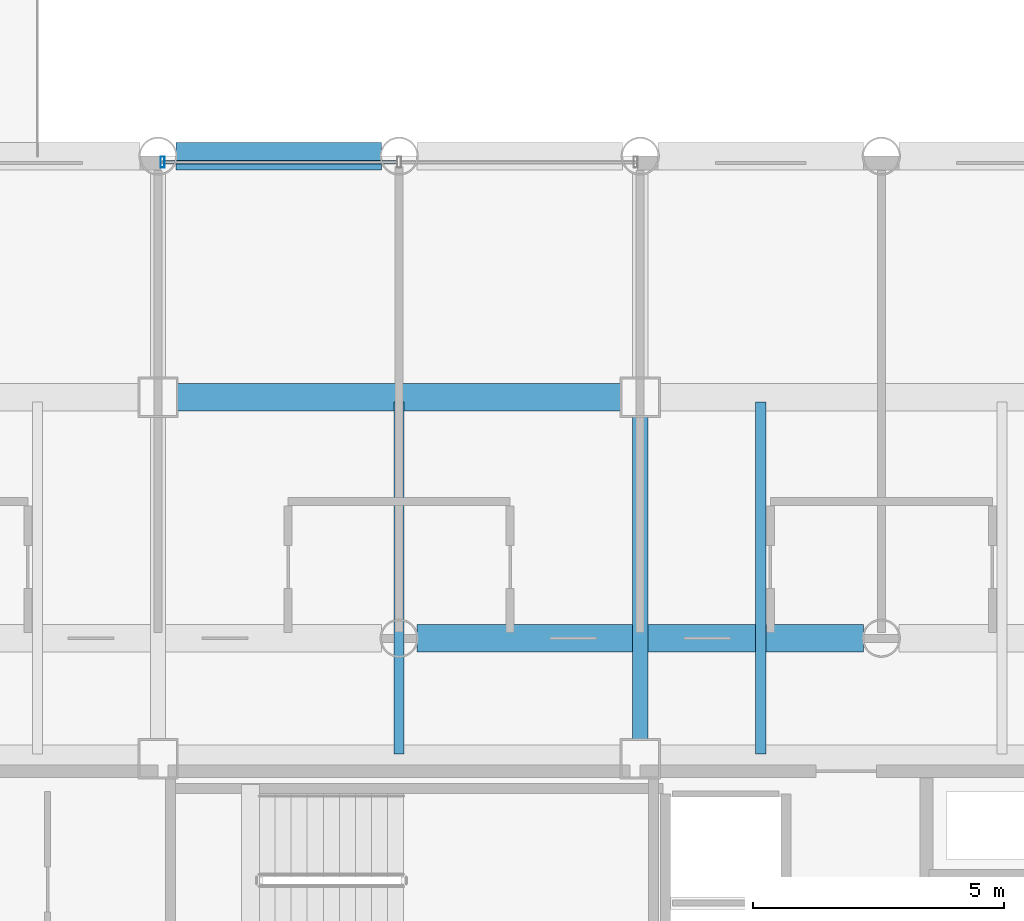
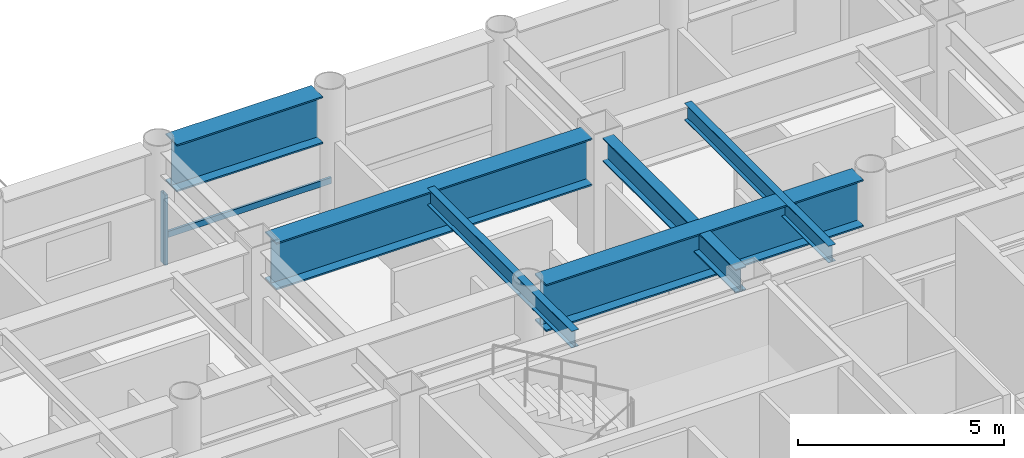
# One storey, part 11 of 24: 6 beams, 2 members, 1 element without a shape of its own.
"""IFC4 building model written with IfcOpenShell, lengths in metres."""

from ifc_helpers import new_model, si_unit, direction, frame, origin, origin_2d, place, context, subcontext, project, spatial, hollow_rectangle, i_section, extrude, material, layer, layer_set, material_profile, profile_set, type_object, element, aggregate, save


model = new_model("IFC4")

# Units and contexts
model_context = context("Model", 3, precision=1e-05, world=origin(), true_north=direction((0.0, 1.0)))
body_context = subcontext(model_context, "Body", "Model", "MODEL_VIEW")
ifc_project = project(units=[si_unit("LENGTHUNIT", "METRE"), si_unit("AREAUNIT", "SQUARE_METRE"), si_unit("VOLUMEUNIT", "CUBIC_METRE"), si_unit("PLANEANGLEUNIT", "RADIAN"), si_unit("MASSUNIT", "GRAM", prefix="KILO")], contexts=[model_context])

# Site, building, storey
site_placement = place(None, origin())
site = spatial("IfcSite", under=ifc_project, at=site_placement, CompositionType="ELEMENT")
building_placement = place(site_placement, origin())
building = spatial("IfcBuilding", under=site, at=building_placement, Name="Kallvorn Hotel Tower", CompositionType="ELEMENT")
storey_placement = place(building_placement, frame((0.0, 0.0, 30.0)))
storey = spatial("IfcBuildingStorey", under=building, at=storey_placement, Name="L05", CompositionType="ELEMENT", Elevation=30.0)

# Beams
ifc_material_1 = material(Name="Structural steel S355JR", Category="steel")
ifc_material_profile_1 = material_profile(ifc_material_1, i_section(OverallWidth=0.300048828125, OverallDepth=0.699951171875, WebThickness=0.01708984375, FlangeThickness=0.031982421875, at=origin_2d()), Name="HE 700 B")
ifc_profile_set_1 = profile_set([ifc_material_profile_1], Name="Structural steel S355JR")
beam_type_1 = type_object("IfcBeamType", Name="BM_HE700B", PredefinedType="BEAM", material=ifc_profile_set_1)
beam_1_placement = place(storey_placement, frame((4.800048828125, 7.574951171875, 3.169921875), z_axis=(0.0, 1.0, 0.0), x_axis=(-1.0, 0.0, 0.0)))
element("IfcBeam", 1, at=beam_1_placement, inside=storey, type_object=beam_type_1, Name="L06 Primary Y-Girder 117", PredefinedType="BEAM", context=body_context, shape_type="SweptSolid", body=[
    extrude(i_section(OverallWidth=0.300048828125, OverallDepth=0.699951171875, WebThickness=0.01708984375, FlangeThickness=0.031982421875, at=origin_2d()), origin(), (0.0, 0.0, 1.0), 6.449951171875),
])
ifc_material_2 = material(Name="Structural steel S355JR", Category="steel")
ifc_material_profile_2 = material_profile(ifc_material_2, i_section(OverallWidth=0.199951171875, OverallDepth=0.5, WebThickness=0.01025390625, FlangeThickness=0.01611328125, at=origin_2d()), Name="IPE 500")
ifc_profile_set_2 = profile_set([ifc_material_profile_2], Name="Structural steel S355JR")
beam_type_2 = type_object("IfcBeamType", Name="BM_IPE500", PredefinedType="JOIST", material=ifc_profile_set_2)
for number, where, z_axis, x_axis, name in (
    (2, (0.0, 7.300048828125, 3.27001953125), (0.0, 1.0, 0.0), (-1.0, 0.0, 0.0), "L06 Secondary Composite Joist 201"),
    (3, (7.199951171875, 7.300048828125, 3.27001953125), (0.0, 1.0, 0.0), (-1.0, 0.0, 0.0), "L06 Secondary Composite Joist 203"),
):
    element("IfcBeam", number, at=place(storey_placement, frame(where, z_axis=z_axis, x_axis=x_axis)), inside=storey, type_object=beam_type_2, Name=name, PredefinedType="JOIST", context=body_context, shape_type="SweptSolid", body=[
        extrude(i_section(OverallWidth=0.199951171875, OverallDepth=0.5, WebThickness=0.01025390625, FlangeThickness=0.01611328125, at=origin_2d()), origin(), (0.0, 0.0, 1.0), 7.0),
    ])
ifc_material_3 = material(Name="Structural steel S355JR", Category="steel")
ifc_material_profile_3 = material_profile(ifc_material_3, i_section(OverallWidth=0.550048828125, OverallDepth=1.39990234375, WebThickness=0.02490234375, FlangeThickness=0.044921875, at=origin_2d()), Name="PG 1400x550x25x45")
ifc_profile_set_3 = profile_set([ifc_material_profile_3], Name="Structural steel S355JR")
beam_type_3 = type_object("IfcBeamType", Name="BM_PG_1400", PredefinedType="BEAM", material=ifc_profile_set_3)
beam_2_placement = place(storey_placement, frame((0.35595703125, 9.60009765625, 2.820068359375), z_axis=(1.0, 0.0, 0.0), x_axis=(0.0, 1.0, 0.0)))
element("IfcBeam", 4, at=beam_2_placement, inside=storey, type_object=beam_type_3, Name="L06 Primary X-Girder 47", PredefinedType="BEAM", context=body_context, shape_type="SweptSolid", body=[
    extrude(i_section(OverallWidth=0.550048828125, OverallDepth=1.39990234375, WebThickness=0.02490234375, FlangeThickness=0.044921875, at=origin_2d()), origin(), (0.0, 0.0, 1.0), 8.887939453125),
])
beam_3_placement = place(storey_placement, frame((-4.425048828125, 14.39990234375, 2.820068359375), z_axis=(1.0, 0.0, 0.0), x_axis=(0.0, 1.0, 0.0)))
element("IfcBeam", 5, at=beam_3_placement, inside=storey, type_object=beam_type_3, Name="L06 Primary X-Girder 56", PredefinedType="BEAM", context=body_context, shape_type="SweptSolid", body=[
    extrude(i_section(OverallWidth=0.550048828125, OverallDepth=1.39990234375, WebThickness=0.02490234375, FlangeThickness=0.044921875, at=origin_2d()), origin(), (0.0, 0.0, 1.0), 8.85009765625),
])
beam_4_placement = place(storey_placement, frame((-4.444091796875, 19.199951171875, 2.820068359375), z_axis=(1.0, 0.0, 0.0), x_axis=(0.0, 1.0, 0.0)))
element("IfcBeam", 6, at=beam_4_placement, inside=storey, type_object=beam_type_3, Name="L06 Primary X-Girder 66", PredefinedType="BEAM", context=body_context, shape_type="SweptSolid", body=[
    extrude(i_section(OverallWidth=0.550048828125, OverallDepth=1.39990234375, WebThickness=0.02490234375, FlangeThickness=0.044921875, at=origin_2d()), origin(), (0.0, 0.0, 1.0), 4.088134765625),
])

# Curtain wall, members
ifc_material_4 = material(Name="Thermally broken black-anodised aluminium AA 6063-T6", Category="aluminium")
ifc_layer = layer(ifc_material_4, 0.199951171875)
ifc_layer_set = layer_set([ifc_layer], Name="CW_SYS_3_HOTEL_LOW")
curtain_wall_type = type_object("IfcCurtainWallType", Name="CW_SYS_3_HOTEL_LOW", PredefinedType="USERDEFINED", material=ifc_layer_set)
curtain_wall_placement = place(storey_placement, origin())
curtain_wall = element("IfcCurtainWall", 7, at=curtain_wall_placement, inside=storey, type_object=curtain_wall_type, Name="L05 Dark-Glass Curtain Wall CW-L05-NC", ObjectType="UNITISED CURTAIN WALL", PredefinedType="USERDEFINED")
ifc_material_5 = material(Name="Thermally broken black-anodised aluminium AA 6063-T6", Category="aluminium")
ifc_material_profile_4 = material_profile(ifc_material_5, hollow_rectangle(XDim=0.080078125, YDim=0.219970703125, WallThickness=0.0048828125, at=origin_2d()), Name="MUL 220x80")
ifc_profile_set_4 = profile_set([ifc_material_profile_4], Name="Thermally broken black-anodised aluminium AA 6063-T6")
member_type_1 = type_object("IfcMemberType", Name="CW_MULLION_220x80", PredefinedType="MULLION", material=ifc_profile_set_4)
member_1_placement = place(storey_placement, frame((-4.7099609375, 19.080078125, 0.02001953125), z_axis=(0.0, 0.0, 1.0), x_axis=(1.0, 0.0, 0.0)))
member_1 = element("IfcMember", 8, at=member_1_placement, type_object=member_type_1, Name="CW-L05-NC Mullion 00", PredefinedType="MULLION", context=body_context, shape_type="SweptSolid", body=[
    extrude(hollow_rectangle(XDim=0.080078125, YDim=0.219970703125, WallThickness=0.0048828125, at=origin_2d()), origin(), (0.0, 0.0, 1.0), 2.080078125),
])
ifc_material_6 = material(Name="Thermally broken black-anodised aluminium AA 6063-T6", Category="aluminium")
ifc_material_profile_5 = material_profile(ifc_material_6, hollow_rectangle(XDim=0.070068359375, YDim=0.179931640625, WallThickness=0.00390625, at=origin_2d()), Name="TRN 180x70")
ifc_profile_set_5 = profile_set([ifc_material_profile_5], Name="Thermally broken black-anodised aluminium AA 6063-T6")
member_type_2 = type_object("IfcMemberType", Name="CW_TRANSOM_180x70", PredefinedType="USERDEFINED", material=ifc_profile_set_5)
member_2_placement = place(storey_placement, frame((-4.7099609375, 19.080078125, 0.85009765625), z_axis=(1.0, 0.0, 0.0), x_axis=(0.0, 1.0, 0.0)))
member_2 = element("IfcMember", 9, at=member_2_placement, type_object=member_type_2, Name="CW-L05-NC Transom 00M", ObjectType="TRANSOM", PredefinedType="USERDEFINED", context=body_context, shape_type="SweptSolid", body=[
    extrude(hollow_rectangle(XDim=0.070068359375, YDim=0.179931640625, WallThickness=0.00390625, at=origin_2d()), origin(), (0.0, 0.0, 1.0), 4.669921875),
])
aggregate(curtain_wall, [member_1, member_2])

save(model, "model.ifc")
